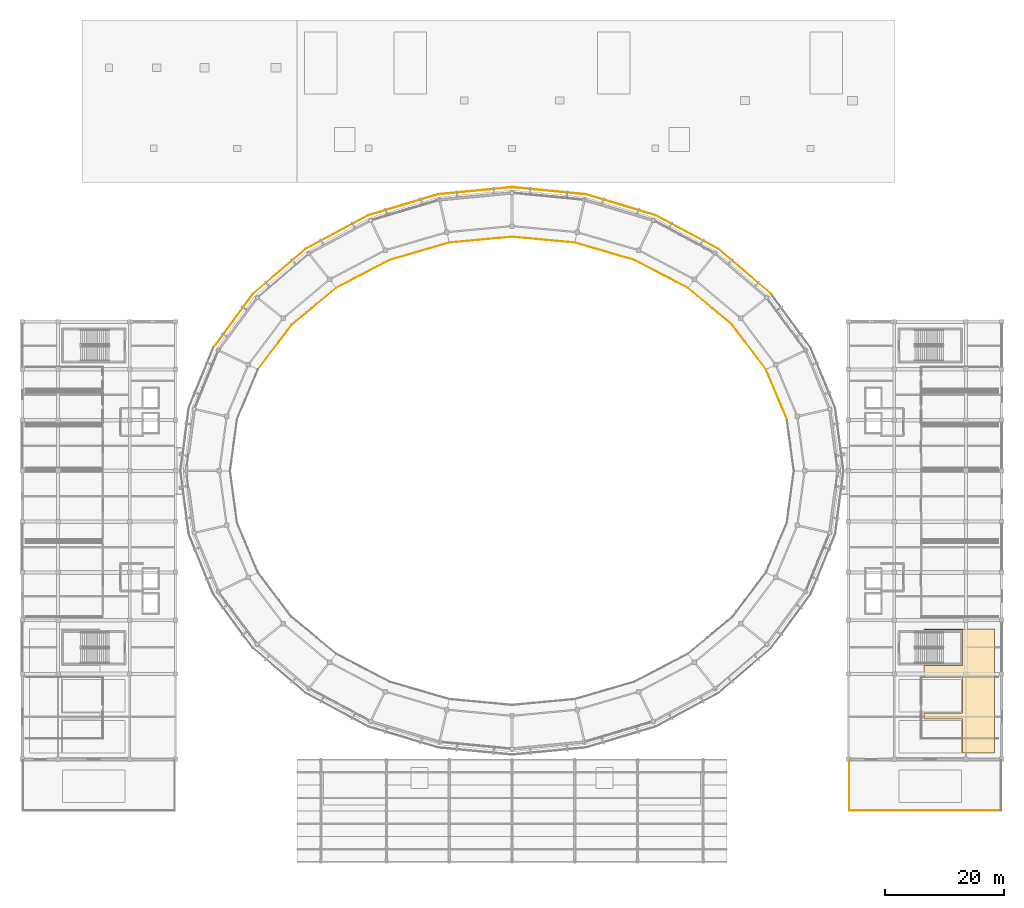
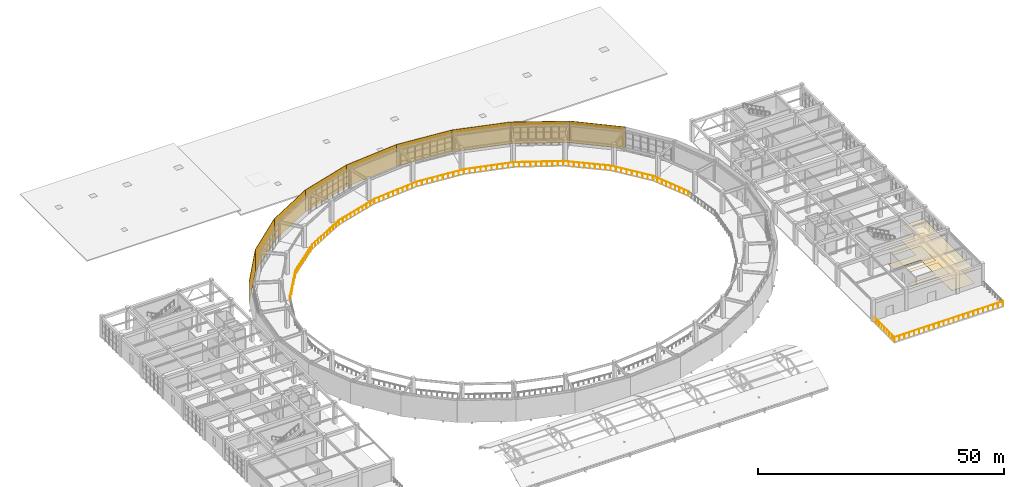
# One storey, part 66 of 70: 13 railings, 11 coverings.
"""IFC4 building model written with IfcOpenShell, lengths in metres."""

import ifcopenshell
import ifcopenshell.guid

model = None  # the IFC model being written
_history = None  # IfcOwnerHistory: only IFC2X3 demands one
_inside = {}  # id of a spatial element -> (the spatial element, [elements in it])
_under = {}  # id of a project, library or spatial element -> (it, [spatial elements below it])
_declared = {}  # id of a project -> (the project, [libraries it declares])
_typed = {}  # id of a type object -> (the type object, [elements of that type])
_made_of = {}  # id of a material, layer set ... -> (it, [elements and type objects made of it])


def new_model(schema):
    """Start an empty IFC model of exactly this schema.

    Asked for "IFC4X3", IfcOpenShell would pick the latest addendum, in which some entities
    have other attributes; the version numbers below select the first issue.
    IFC2X3 requires an IfcOwnerHistory on every rooted entity: one is made here for all.
    """
    global model, _history
    if schema == "IFC4X3":
        model = ifcopenshell.file(schema_version=(4, 3, 0, 0))
    else:
        model = ifcopenshell.file(schema=schema)
    _inside.clear()
    _under.clear()
    _declared.clear()
    _typed.clear()
    _made_of.clear()
    _history = None
    if model.schema == "IFC2X3":
        org = make("IfcOrganization", Name="unknown")
        user = make(
            "IfcPersonAndOrganization",
            ThePerson=make("IfcPerson", FamilyName="unknown"),
            TheOrganization=org,
        )
        app = make(
            "IfcApplication",
            ApplicationDeveloper=org,
            Version="unknown",
            ApplicationFullName="unknown",
            ApplicationIdentifier="unknown",
        )
        _history = make(
            "IfcOwnerHistory",
            OwningUser=user,
            OwningApplication=app,
            ChangeAction="ADDED",
            CreationDate=0,
        )
    return model


def make(cls, **values):
    """One entity of the class cls with the attributes given. An attribute that is None is left unset."""
    return model.create_entity(
        cls, **{name: value for name, value in values.items() if value is not None}
    )


def rooted(cls, **values):
    """An entity with a GlobalId (a new one), such as an element, a storey or a relation."""
    return make(cls, GlobalId=ifcopenshell.guid.new(), OwnerHistory=_history, **values)


def si_unit(unit_type, name, prefix=None):
    """IfcSIUnit, for example si_unit("LENGTHUNIT", "METRE", prefix="MILLI")."""
    return make("IfcSIUnit", UnitType=unit_type, Prefix=prefix, Name=name)


def assignment(units):
    """IfcUnitAssignment: the units of a project."""
    return None if units is None else make("IfcUnitAssignment", Units=units)


def point(xyz):
    """IfcCartesianPoint."""
    return None if xyz is None else make("IfcCartesianPoint", Coordinates=xyz)


def direction(xyz):
    """IfcDirection."""
    return None if xyz is None else make("IfcDirection", DirectionRatios=xyz)


def frame(location, z_axis=None, x_axis=None):
    """IfcAxis2Placement3D, a coordinate frame: its origin and axes. An axis left out is left unset."""
    return make(
        "IfcAxis2Placement3D",
        Location=point(location),
        Axis=direction(z_axis),
        RefDirection=direction(x_axis),
    )


def frame_2d(location, x_axis=None):
    """IfcAxis2Placement2D, a coordinate frame in the plane: its origin and x axis."""
    return make(
        "IfcAxis2Placement2D", Location=point(location), RefDirection=direction(x_axis)
    )


def origin():
    """The frame at (0, 0, 0) with its axes left unset."""
    return frame((0.0, 0.0, 0.0))


def origin_2d():
    """The frame at (0, 0) in the plane with its x axis left unset."""
    return frame_2d((0.0, 0.0))


def place(relative_to, where):
    """IfcLocalPlacement: puts the frame where relative to a parent placement (None: the world)."""
    return make(
        "IfcLocalPlacement", PlacementRelTo=relative_to, RelativePlacement=where
    )


def context(
    kind, dimensions, precision=None, world=None, true_north=None, identifier=None
):
    """IfcGeometricRepresentationContext, for example the 3D "Model" context."""
    return make(
        "IfcGeometricRepresentationContext",
        ContextIdentifier=identifier,
        ContextType=kind,
        CoordinateSpaceDimension=dimensions,
        Precision=precision,
        WorldCoordinateSystem=world,
        TrueNorth=true_north,
    )


def subcontext(parent, identifier, kind, view, scale=None):
    """IfcGeometricRepresentationSubContext, for example "Body" below "Model"."""
    return make(
        "IfcGeometricRepresentationSubContext",
        ContextIdentifier=identifier,
        ContextType=kind,
        ParentContext=parent,
        TargetScale=scale,
        TargetView=view,
    )


def project(units=None, contexts=None):
    """IfcProject with its units and contexts."""
    return rooted(
        "IfcProject",
        Name="project",
        RepresentationContexts=contexts,
        UnitsInContext=assignment(units),
    )


def spatial(cls, under=None, at=None, **own):
    """A site, building, storey or space (cls), placed at a placement, below another one or the project."""
    s = rooted(cls, ObjectPlacement=at, **own)
    if under is not None:
        _under.setdefault(under.id(), (under, []))[1].append(s)
    return s


def polyline(points):
    """IfcPolyline through the points."""
    return make("IfcPolyline", Points=[point(p) for p in points])


def profile(cls, at=None, kind="AREA", **sizes):
    """A parametric profile (cls). Its sizes go by their IFC names, for example OverallWidth=200.0."""
    return make(cls, ProfileType=kind, Position=at, **sizes)


def rectangle(**sizes):
    """IfcRectangleProfileDef."""
    return profile("IfcRectangleProfileDef", **sizes)


def circle(**sizes):
    """IfcCircleProfileDef."""
    return profile("IfcCircleProfileDef", **sizes)


def outline(outer, holes=None, kind="AREA"):
    """IfcArbitraryClosedProfileDef: a profile drawn as a closed curve; with holes, ...WithVoids."""
    if holes is None:
        return make("IfcArbitraryClosedProfileDef", ProfileType=kind, OuterCurve=outer)
    return make(
        "IfcArbitraryProfileDefWithVoids",
        ProfileType=kind,
        OuterCurve=outer,
        InnerCurves=holes,
    )


def extrude(swept, where, along, depth):
    """IfcExtrudedAreaSolid: the profile swept, set in the frame where, extruded along a direction by depth."""
    return make(
        "IfcExtrudedAreaSolid",
        SweptArea=swept,
        Position=where,
        ExtrudedDirection=direction(along),
        Depth=depth,
    )


def shape(context_of_items, identifier, shape_type, items):
    """IfcShapeRepresentation: the items that make up one representation, for example the "Body"."""
    return make(
        "IfcShapeRepresentation",
        ContextOfItems=context_of_items,
        RepresentationIdentifier=identifier,
        RepresentationType=shape_type,
        Items=items,
    )


def material(Name=None, Category=None):
    """IfcMaterial."""
    return make("IfcMaterial", Name=Name, Category=Category)


def layer(
    of_material, thickness, ventilated=None, Name=None, Category=None, Priority=None
):
    """IfcMaterialLayer: one layer of a wall or slab, of a material (None: an air gap)."""
    return make(
        "IfcMaterialLayer",
        Material=of_material,
        LayerThickness=thickness,
        IsVentilated=ventilated,
        Name=Name,
        Category=Category,
        Priority=Priority,
    )


def layer_set(layers, Name=None):
    """IfcMaterialLayerSet."""
    return make("IfcMaterialLayerSet", MaterialLayers=layers, LayerSetName=Name)


def made_of(thing, what):
    """Note that an element or type object is made of a material, layer set ...; save() writes the relation."""
    if what is not None:
        _made_of.setdefault(what.id(), (what, []))[1].append(thing)
    return thing


def type_object(cls, material=None, **own):
    """A type object (cls), such as IfcWallType, which elements share."""
    return made_of(rooted(cls, **own), material)


def element(
    cls,
    number,
    at=None,
    inside=None,
    cuts=None,
    type_object=None,
    material=None,
    context=None,
    identifier="Body",
    shape_type=None,
    held_by="IfcProductDefinitionShape",
    body=None,
    shapes=None,
    **own,
):
    """One element of the class cls, such as IfcWall. Its Tag is "e" and its number.

    at: its placement. inside: the storey or other place that contains it. cuts: it is an
    opening in that element (IfcRelVoidsElement). A single representation is given by context,
    identifier, shape_type and body (its items); several are given by shapes. held_by: the class
    of the entity that holds the representations. save() writes the other relations.
    """
    e = rooted(cls, Tag="e%d" % number, ObjectPlacement=at, **own)
    if body is not None:
        shapes = [shape(context, identifier, shape_type, body)]
    if shapes is not None:
        e.Representation = make(held_by, Representations=shapes)
    if inside is not None:
        _inside.setdefault(inside.id(), (inside, []))[1].append(e)
    if cuts is not None:
        rooted(
            "IfcRelVoidsElement", RelatingBuildingElement=cuts, RelatedOpeningElement=e
        )
    if type_object is not None:
        _typed.setdefault(type_object.id(), (type_object, []))[1].append(e)
    return made_of(e, material)


def aggregate(whole, parts):
    """IfcRelAggregates: a whole, such as a stair, and the parts it consists of."""
    return rooted("IfcRelAggregates", RelatingObject=whole, RelatedObjects=parts)


def save(model, path):
    """Write the relations noted so far, then the file.

    IfcRelAggregates (storeys below a building ...), IfcRelContainedInSpatialStructure (elements
    in a storey), IfcRelDefinesByType, IfcRelAssociatesMaterial and IfcRelDeclares: one each for
    every whole, place, type object, material and project.
    """
    for whole, parts in _under.values():
        aggregate(whole, parts)
    for where, things in _inside.values():
        rooted(
            "IfcRelContainedInSpatialStructure",
            RelatedElements=things,
            RelatingStructure=where,
        )
    for kind, things in _typed.values():
        rooted("IfcRelDefinesByType", RelatedObjects=things, RelatingType=kind)
    for what, things in _made_of.values():
        rooted("IfcRelAssociatesMaterial", RelatedObjects=things, RelatingMaterial=what)
    for by, libraries in _declared.values():
        rooted("IfcRelDeclares", RelatingContext=by, RelatedDefinitions=libraries)
    model.write(path)


model = new_model("IFC4")

# Units and contexts
model_context = context("Model", 3, precision=1e-05, world=origin(), true_north=direction((0.0, 1.0)))
body_context = subcontext(model_context, "Body", "Model", "MODEL_VIEW")
ifc_project = project(units=[si_unit("LENGTHUNIT", "METRE"), si_unit("AREAUNIT", "SQUARE_METRE"), si_unit("VOLUMEUNIT", "CUBIC_METRE"), si_unit("PLANEANGLEUNIT", "RADIAN"), si_unit("MASSUNIT", "GRAM", prefix="KILO")], contexts=[model_context])

# Site, building, storey
site_placement = place(None, origin())
site = spatial("IfcSite", under=ifc_project, at=site_placement, CompositionType="ELEMENT")
building_placement = place(site_placement, origin())
building = spatial("IfcBuilding", under=site, at=building_placement, Name="Cuetzalor Civic Arena", CompositionType="ELEMENT")
storey_placement = place(building_placement, frame((0.0, 0.0, 21.0)))
storey = spatial("IfcBuildingStorey", under=building, at=storey_placement, Name="L04", CompositionType="ELEMENT", Elevation=21.0)

# Covering
ifc_material_1 = material(Name="Perforated acoustic mineral ceiling board", Category="gypsum")
ifc_layer_1 = layer(ifc_material_1, 0.02490234375)
ifc_layer_set_1 = layer_set([ifc_layer_1], Name="Perforated acoustic mineral ceiling board")
covering_type_1 = type_object("IfcCoveringType", Name="AcousticMineralCeiling_25", PredefinedType="CEILING", material=ifc_layer_set_1)
covering_1_placement = place(storey_placement, frame((0.0, 0.0, 3.5)))
element("IfcCovering", 1, at=covering_1_placement, inside=storey, type_object=covering_type_1, Name="Sky Club East Acoustic Ceiling", PredefinedType="CEILING", context=body_context, shape_type="SweptSolid", body=[
    extrude(outline(polyline([(69.0, -26.5), (80.800048828125, -26.5), (80.800048828125, -47.199951171875), (75.449951171875, -47.199951171875), (75.449951171875, -41.550048828125), (69.0, -41.550048828125), (69.0, -40.550048828125), (75.449951171875, -40.550048828125), (75.449951171875, -34.64990234375), (69.0, -34.64990234375), (69.0, -32.550048828125), (75.449951171875, -32.550048828125), (75.449951171875, -26.64990234375), (69.0, -26.64990234375), (69.0, -26.5)])), origin(), (0.0, 0.0, 1.0), 0.02490234375),
])

# Railings
ifc_material_2 = material(Name="Reseda-green Steel S355 and laminated glass guard", Category="steel")
railing_type_1 = type_object("IfcRailingType", Name="BowlSightlineGuard_1100", PredefinedType="BALUSTRADE", material=ifc_material_2)
railing_1_placement = place(storey_placement, frame((46.0166015625, 8.722900390625, 0.0)))
element("IfcRailing", 2, at=railing_1_placement, inside=storey, type_object=railing_type_1, Name="Sky Gallery Bowl Rim Balustrade S02", PredefinedType="BALUSTRADE", context=body_context, shape_type="SweptSolid", body=[
    extrude(circle(Radius=0.02392578125, at=origin_2d()), frame((0.0, 0.0, 1.076171875), z_axis=(-0.388281571864, 0.921540786374, 0.0), x_axis=(-0.921540786374, -0.388281571864, 0.0)), (0.0, 0.0, 1.0), 8.99072265625),
    extrude(circle(Radius=0.02099609375, at=origin_2d()), origin(), (0.0, 0.0, 1.0), 1.052001953125),
    extrude(circle(Radius=0.02099609375, at=origin_2d()), frame((-0.436279296875, 1.03564453125, 0.0)), (0.0, 0.0, 1.0), 1.052001953125),
    extrude(circle(Radius=0.02099609375, at=origin_2d()), frame((-0.872802734375, 2.0712890625, 0.0)), (0.0, 0.0, 1.0), 1.052001953125),
    extrude(circle(Radius=0.02099609375, at=origin_2d()), frame((-1.30908203125, 3.10693359375, 0.0)), (0.0, 0.0, 1.0), 1.052001953125),
    extrude(circle(Radius=0.02099609375, at=origin_2d()), frame((-1.74560546875, 4.142578125, 0.0)), (0.0, 0.0, 1.0), 1.052001953125),
    extrude(circle(Radius=0.02099609375, at=origin_2d()), frame((-2.181884765625, 5.178466796875, 0.0)), (0.0, 0.0, 1.0), 1.052001953125),
    extrude(circle(Radius=0.02099609375, at=origin_2d()), frame((-2.6181640625, 6.214111328125, 0.0)), (0.0, 0.0, 1.0), 1.052001953125),
    extrude(circle(Radius=0.02099609375, at=origin_2d()), frame((-3.0546875, 7.249755859375, 0.0)), (0.0, 0.0, 1.0), 1.052001953125),
    extrude(circle(Radius=0.02099609375, at=origin_2d()), frame((-3.490966796875, 8.285400390625, 0.0)), (0.0, 0.0, 1.0), 1.052001953125),
])
railing_2_placement = place(storey_placement, frame((42.525634765625, 17.00830078125, 0.0)))
element("IfcRailing", 3, at=railing_2_placement, inside=storey, type_object=railing_type_1, Name="Sky Gallery Bowl Rim Balustrade S03", PredefinedType="BALUSTRADE", context=body_context, shape_type="SweptSolid", body=[
    extrude(circle(Radius=0.02392578125, at=origin_2d()), frame((0.0, 0.0, 1.076171875), z_axis=(-0.60334768041, 0.79747826086, 0.0), x_axis=(-0.79747826086, -0.60334768041, 0.0)), (0.0, 0.0, 1.0), 9.320068359375),
    extrude(circle(Radius=0.02099609375, at=origin_2d()), origin(), (0.0, 0.0, 1.0), 1.052001953125),
    extrude(circle(Radius=0.02099609375, at=origin_2d()), frame((-0.702880859375, 0.92919921875, 0.0)), (0.0, 0.0, 1.0), 1.052001953125),
    extrude(circle(Radius=0.02099609375, at=origin_2d()), frame((-1.40576171875, 1.858154296875, 0.0)), (0.0, 0.0, 1.0), 1.052001953125),
    extrude(circle(Radius=0.02099609375, at=origin_2d()), frame((-2.108642578125, 2.787109375, 0.0)), (0.0, 0.0, 1.0), 1.052001953125),
    extrude(circle(Radius=0.02099609375, at=origin_2d()), frame((-2.8115234375, 3.71630859375, 0.0)), (0.0, 0.0, 1.0), 1.052001953125),
    extrude(circle(Radius=0.02099609375, at=origin_2d()), frame((-3.5146484375, 4.6455078125, 0.0)), (0.0, 0.0, 1.0), 1.052001953125),
    extrude(circle(Radius=0.02099609375, at=origin_2d()), frame((-4.217529296875, 5.574462890625, 0.0)), (0.0, 0.0, 1.0), 1.052001953125),
    extrude(circle(Radius=0.02099609375, at=origin_2d()), frame((-4.92041015625, 6.50341796875, 0.0)), (0.0, 0.0, 1.0), 1.052001953125),
    extrude(circle(Radius=0.02099609375, at=origin_2d()), frame((-5.623291015625, 7.4326171875, 0.0)), (0.0, 0.0, 1.0), 1.052001953125),
])
railing_3_placement = place(storey_placement, frame((36.90234375, 24.44091796875, 0.0)))
element("IfcRailing", 4, at=railing_3_placement, inside=storey, type_object=railing_type_1, Name="Sky Gallery Bowl Rim Balustrade S04", PredefinedType="BALUSTRADE", context=body_context, shape_type="SweptSolid", body=[
    extrude(circle(Radius=0.02392578125, at=origin_2d()), frame((0.0, 0.0, 1.076171875), z_axis=(-0.769295452633, 0.638893188693, 0.0), x_axis=(-0.638893188693, -0.769295452633, 0.0)), (0.0, 0.0, 1.0), 9.71484375),
    extrude(circle(Radius=0.02099609375, at=origin_2d()), origin(), (0.0, 0.0, 1.0), 1.052001953125),
    extrude(circle(Radius=0.02099609375, at=origin_2d()), frame((-0.830322265625, 0.689697265625, 0.0)), (0.0, 0.0, 1.0), 1.052001953125),
    extrude(circle(Radius=0.02099609375, at=origin_2d()), frame((-1.660888671875, 1.37939453125, 0.0)), (0.0, 0.0, 1.0), 1.052001953125),
    extrude(circle(Radius=0.02099609375, at=origin_2d()), frame((-2.4912109375, 2.06884765625, 0.0)), (0.0, 0.0, 1.0), 1.052001953125),
    extrude(circle(Radius=0.02099609375, at=origin_2d()), frame((-3.321533203125, 2.758544921875, 0.0)), (0.0, 0.0, 1.0), 1.052001953125),
    extrude(circle(Radius=0.02099609375, at=origin_2d()), frame((-4.152099609375, 3.4482421875, 0.0)), (0.0, 0.0, 1.0), 1.052001953125),
    extrude(circle(Radius=0.02099609375, at=origin_2d()), frame((-4.982421875, 4.137939453125, 0.0)), (0.0, 0.0, 1.0), 1.052001953125),
    extrude(circle(Radius=0.02099609375, at=origin_2d()), frame((-5.812744140625, 4.827392578125, 0.0)), (0.0, 0.0, 1.0), 1.052001953125),
    extrude(circle(Radius=0.02099609375, at=origin_2d()), frame((-6.643310546875, 5.51708984375, 0.0)), (0.0, 0.0, 1.0), 1.052001953125),
    extrude(circle(Radius=0.02099609375, at=origin_2d()), frame((-7.4736328125, 6.206787109375, 0.0)), (0.0, 0.0, 1.0), 1.052001953125),
])
railing_4_placement = place(storey_placement, frame((29.4287109375, 30.647705078125, 0.0)))
element("IfcRailing", 5, at=railing_4_placement, inside=storey, type_object=railing_type_1, Name="Sky Gallery Bowl Rim Balustrade S05", PredefinedType="BALUSTRADE", context=body_context, shape_type="SweptSolid", body=[
    extrude(circle(Radius=0.02392578125, at=origin_2d()), frame((0.0, 0.0, 1.076171875), z_axis=(-0.886539131645, 0.462653615636, 0.0), x_axis=(-0.462653615636, -0.886539131645, 0.0)), (0.0, 0.0, 1.0), 10.0947265625),
    extrude(circle(Radius=0.02099609375, at=origin_2d()), origin(), (0.0, 0.0, 1.0), 1.052001953125),
    extrude(circle(Radius=0.02099609375, at=origin_2d()), frame((-0.994384765625, 0.51904296875, 0.0)), (0.0, 0.0, 1.0), 1.052001953125),
    extrude(circle(Radius=0.02099609375, at=origin_2d()), frame((-1.98876953125, 1.037841796875, 0.0)), (0.0, 0.0, 1.0), 1.052001953125),
    extrude(circle(Radius=0.02099609375, at=origin_2d()), frame((-2.983154296875, 1.556884765625, 0.0)), (0.0, 0.0, 1.0), 1.052001953125),
    extrude(circle(Radius=0.02099609375, at=origin_2d()), frame((-3.9775390625, 2.07568359375, 0.0)), (0.0, 0.0, 1.0), 1.052001953125),
    extrude(circle(Radius=0.02099609375, at=origin_2d()), frame((-4.971923828125, 2.5947265625, 0.0)), (0.0, 0.0, 1.0), 1.052001953125),
    extrude(circle(Radius=0.02099609375, at=origin_2d()), frame((-5.96630859375, 3.113525390625, 0.0)), (0.0, 0.0, 1.0), 1.052001953125),
    extrude(circle(Radius=0.02099609375, at=origin_2d()), frame((-6.960693359375, 3.632568359375, 0.0)), (0.0, 0.0, 1.0), 1.052001953125),
    extrude(circle(Radius=0.02099609375, at=origin_2d()), frame((-7.955078125, 4.1513671875, 0.0)), (0.0, 0.0, 1.0), 1.052001953125),
    extrude(circle(Radius=0.02099609375, at=origin_2d()), frame((-8.949462890625, 4.67041015625, 0.0)), (0.0, 0.0, 1.0), 1.052001953125),
])
railing_5_placement = place(storey_placement, frame((20.479248046875, 35.318115234375, 0.0)))
element("IfcRailing", 6, at=railing_5_placement, inside=storey, type_object=railing_type_1, Name="Sky Gallery Bowl Rim Balustrade S06", PredefinedType="BALUSTRADE", context=body_context, shape_type="SweptSolid", body=[
    extrude(circle(Radius=0.02392578125, at=origin_2d()), frame((0.0, 0.0, 1.076171875), z_axis=(-0.960273529598, 0.279060474365, 0.0), x_axis=(-0.279060474365, -0.960273529598, 0.0)), (0.0, 0.0, 1.0), 10.38916015625),
    extrude(circle(Radius=0.02099609375, at=origin_2d()), origin(), (0.0, 0.0, 1.0), 1.052001953125),
    extrude(circle(Radius=0.02099609375, at=origin_2d()), frame((-1.1083984375, 0.322021484375, 0.0)), (0.0, 0.0, 1.0), 1.052001953125),
    extrude(circle(Radius=0.02099609375, at=origin_2d()), frame((-2.217041015625, 0.644287109375, 0.0)), (0.0, 0.0, 1.0), 1.052001953125),
    extrude(circle(Radius=0.02099609375, at=origin_2d()), frame((-3.325439453125, 0.96630859375, 0.0)), (0.0, 0.0, 1.0), 1.052001953125),
    extrude(circle(Radius=0.02099609375, at=origin_2d()), frame((-4.433837890625, 1.28857421875, 0.0)), (0.0, 0.0, 1.0), 1.052001953125),
    extrude(circle(Radius=0.02099609375, at=origin_2d()), frame((-5.54248046875, 1.610595703125, 0.0)), (0.0, 0.0, 1.0), 1.052001953125),
    extrude(circle(Radius=0.02099609375, at=origin_2d()), frame((-6.65087890625, 1.932861328125, 0.0)), (0.0, 0.0, 1.0), 1.052001953125),
    extrude(circle(Radius=0.02099609375, at=origin_2d()), frame((-7.75927734375, 2.2548828125, 0.0)), (0.0, 0.0, 1.0), 1.052001953125),
    extrude(circle(Radius=0.02099609375, at=origin_2d()), frame((-8.867919921875, 2.5771484375, 0.0)), (0.0, 0.0, 1.0), 1.052001953125),
    extrude(circle(Radius=0.02099609375, at=origin_2d()), frame((-9.976318359375, 2.899169921875, 0.0)), (0.0, 0.0, 1.0), 1.052001953125),
])
railing_6_placement = place(storey_placement, frame((10.5029296875, 38.21728515625, 0.0)))
element("IfcRailing", 7, at=railing_6_placement, inside=storey, type_object=railing_type_1, Name="Sky Gallery Bowl Rim Balustrade S07", PredefinedType="BALUSTRADE", context=body_context, shape_type="SweptSolid", body=[
    extrude(circle(Radius=0.02392578125, at=origin_2d()), frame((0.0, 0.0, 1.076171875), z_axis=(-0.995651684178, 0.093154300995, 0.0), x_axis=(-0.093154300995, -0.995651684178, 0.0)), (0.0, 0.0, 1.0), 10.548828125),
    extrude(circle(Radius=0.02099609375, at=origin_2d()), origin(), (0.0, 0.0, 1.0), 1.052001953125),
    extrude(circle(Radius=0.02099609375, at=origin_2d()), frame((-1.1669921875, 0.109130859375, 0.0)), (0.0, 0.0, 1.0), 1.052001953125),
    extrude(circle(Radius=0.02099609375, at=origin_2d()), frame((-2.333984375, 0.21826171875, 0.0)), (0.0, 0.0, 1.0), 1.052001953125),
    extrude(circle(Radius=0.02099609375, at=origin_2d()), frame((-3.5009765625, 0.32763671875, 0.0)), (0.0, 0.0, 1.0), 1.052001953125),
    extrude(circle(Radius=0.02099609375, at=origin_2d()), frame((-4.66796875, 0.436767578125, 0.0)), (0.0, 0.0, 1.0), 1.052001953125),
    extrude(circle(Radius=0.02099609375, at=origin_2d()), frame((-5.8349609375, 0.5458984375, 0.0)), (0.0, 0.0, 1.0), 1.052001953125),
    extrude(circle(Radius=0.02099609375, at=origin_2d()), frame((-7.001953125, 0.655029296875, 0.0)), (0.0, 0.0, 1.0), 1.052001953125),
    extrude(circle(Radius=0.02099609375, at=origin_2d()), frame((-8.1689453125, 0.764404296875, 0.0)), (0.0, 0.0, 1.0), 1.052001953125),
    extrude(circle(Radius=0.02099609375, at=origin_2d()), frame((-9.3359375, 0.87353515625, 0.0)), (0.0, 0.0, 1.0), 1.052001953125),
    extrude(circle(Radius=0.02099609375, at=origin_2d()), frame((-10.5029296875, 0.982666015625, 0.0)), (0.0, 0.0, 1.0), 1.052001953125),
])
railing_7_placement = place(storey_placement, frame((0.0, 39.199951171875, 0.0)))
element("IfcRailing", 8, at=railing_7_placement, inside=storey, type_object=railing_type_1, Name="Sky Gallery Bowl Rim Balustrade S08", PredefinedType="BALUSTRADE", context=body_context, shape_type="SweptSolid", body=[
    extrude(circle(Radius=0.02392578125, at=origin_2d()), frame((0.0, 0.0, 1.076171875), z_axis=(-0.995651684178, -0.093154300995, 0.0), x_axis=(0.093154300995, -0.995651684178, 0.0)), (0.0, 0.0, 1.0), 10.548828125),
    extrude(circle(Radius=0.02099609375, at=origin_2d()), origin(), (0.0, 0.0, 1.0), 1.052001953125),
    extrude(circle(Radius=0.02099609375, at=origin_2d()), frame((-1.1669921875, -0.109130859375, 0.0)), (0.0, 0.0, 1.0), 1.052001953125),
    extrude(circle(Radius=0.02099609375, at=origin_2d()), frame((-2.333984375, -0.21826171875, 0.0)), (0.0, 0.0, 1.0), 1.052001953125),
    extrude(circle(Radius=0.02099609375, at=origin_2d()), frame((-3.5009765625, -0.32763671875, 0.0)), (0.0, 0.0, 1.0), 1.052001953125),
    extrude(circle(Radius=0.02099609375, at=origin_2d()), frame((-4.66796875, -0.436767578125, 0.0)), (0.0, 0.0, 1.0), 1.052001953125),
    extrude(circle(Radius=0.02099609375, at=origin_2d()), frame((-5.8349609375, -0.5458984375, 0.0)), (0.0, 0.0, 1.0), 1.052001953125),
    extrude(circle(Radius=0.02099609375, at=origin_2d()), frame((-7.001953125, -0.655029296875, 0.0)), (0.0, 0.0, 1.0), 1.052001953125),
    extrude(circle(Radius=0.02099609375, at=origin_2d()), frame((-8.1689453125, -0.764404296875, 0.0)), (0.0, 0.0, 1.0), 1.052001953125),
    extrude(circle(Radius=0.02099609375, at=origin_2d()), frame((-9.3359375, -0.87353515625, 0.0)), (0.0, 0.0, 1.0), 1.052001953125),
    extrude(circle(Radius=0.02099609375, at=origin_2d()), frame((-10.5029296875, -0.982666015625, 0.0)), (0.0, 0.0, 1.0), 1.052001953125),
])
railing_8_placement = place(storey_placement, frame((-10.5029296875, 38.21728515625, 0.0)))
element("IfcRailing", 9, at=railing_8_placement, inside=storey, type_object=railing_type_1, Name="Sky Gallery Bowl Rim Balustrade S09", PredefinedType="BALUSTRADE", context=body_context, shape_type="SweptSolid", body=[
    extrude(circle(Radius=0.02392578125, at=origin_2d()), frame((0.0, 0.0, 1.076171875), z_axis=(-0.960273529598, -0.279060474365, 0.0), x_axis=(0.279060474365, -0.960273529598, 0.0)), (0.0, 0.0, 1.0), 10.38916015625),
    extrude(circle(Radius=0.02099609375, at=origin_2d()), origin(), (0.0, 0.0, 1.0), 1.052001953125),
    extrude(circle(Radius=0.02099609375, at=origin_2d()), frame((-1.1083984375, -0.322021484375, 0.0)), (0.0, 0.0, 1.0), 1.052001953125),
    extrude(circle(Radius=0.02099609375, at=origin_2d()), frame((-2.217041015625, -0.644287109375, 0.0)), (0.0, 0.0, 1.0), 1.052001953125),
    extrude(circle(Radius=0.02099609375, at=origin_2d()), frame((-3.325439453125, -0.96630859375, 0.0)), (0.0, 0.0, 1.0), 1.052001953125),
    extrude(circle(Radius=0.02099609375, at=origin_2d()), frame((-4.433837890625, -1.28857421875, 0.0)), (0.0, 0.0, 1.0), 1.052001953125),
    extrude(circle(Radius=0.02099609375, at=origin_2d()), frame((-5.54248046875, -1.610595703125, 0.0)), (0.0, 0.0, 1.0), 1.052001953125),
    extrude(circle(Radius=0.02099609375, at=origin_2d()), frame((-6.65087890625, -1.932861328125, 0.0)), (0.0, 0.0, 1.0), 1.052001953125),
    extrude(circle(Radius=0.02099609375, at=origin_2d()), frame((-7.75927734375, -2.2548828125, 0.0)), (0.0, 0.0, 1.0), 1.052001953125),
    extrude(circle(Radius=0.02099609375, at=origin_2d()), frame((-8.867919921875, -2.5771484375, 0.0)), (0.0, 0.0, 1.0), 1.052001953125),
    extrude(circle(Radius=0.02099609375, at=origin_2d()), frame((-9.976318359375, -2.899169921875, 0.0)), (0.0, 0.0, 1.0), 1.052001953125),
])
railing_9_placement = place(storey_placement, frame((-20.479248046875, 35.318115234375, 0.0)))
element("IfcRailing", 10, at=railing_9_placement, inside=storey, type_object=railing_type_1, Name="Sky Gallery Bowl Rim Balustrade S10", PredefinedType="BALUSTRADE", context=body_context, shape_type="SweptSolid", body=[
    extrude(circle(Radius=0.02392578125, at=origin_2d()), frame((0.0, 0.0, 1.076171875), z_axis=(-0.886539131645, -0.462653615636, 0.0), x_axis=(0.462653615636, -0.886539131645, 0.0)), (0.0, 0.0, 1.0), 10.0947265625),
    extrude(circle(Radius=0.02099609375, at=origin_2d()), origin(), (0.0, 0.0, 1.0), 1.052001953125),
    extrude(circle(Radius=0.02099609375, at=origin_2d()), frame((-0.994384765625, -0.51904296875, 0.0)), (0.0, 0.0, 1.0), 1.052001953125),
    extrude(circle(Radius=0.02099609375, at=origin_2d()), frame((-1.98876953125, -1.037841796875, 0.0)), (0.0, 0.0, 1.0), 1.052001953125),
    extrude(circle(Radius=0.02099609375, at=origin_2d()), frame((-2.983154296875, -1.556884765625, 0.0)), (0.0, 0.0, 1.0), 1.052001953125),
    extrude(circle(Radius=0.02099609375, at=origin_2d()), frame((-3.9775390625, -2.07568359375, 0.0)), (0.0, 0.0, 1.0), 1.052001953125),
    extrude(circle(Radius=0.02099609375, at=origin_2d()), frame((-4.971923828125, -2.5947265625, 0.0)), (0.0, 0.0, 1.0), 1.052001953125),
    extrude(circle(Radius=0.02099609375, at=origin_2d()), frame((-5.96630859375, -3.113525390625, 0.0)), (0.0, 0.0, 1.0), 1.052001953125),
    extrude(circle(Radius=0.02099609375, at=origin_2d()), frame((-6.960693359375, -3.632568359375, 0.0)), (0.0, 0.0, 1.0), 1.052001953125),
    extrude(circle(Radius=0.02099609375, at=origin_2d()), frame((-7.955078125, -4.1513671875, 0.0)), (0.0, 0.0, 1.0), 1.052001953125),
    extrude(circle(Radius=0.02099609375, at=origin_2d()), frame((-8.949462890625, -4.67041015625, 0.0)), (0.0, 0.0, 1.0), 1.052001953125),
])
railing_10_placement = place(storey_placement, frame((-29.4287109375, 30.647705078125, 0.0)))
element("IfcRailing", 11, at=railing_10_placement, inside=storey, type_object=railing_type_1, Name="Sky Gallery Bowl Rim Balustrade S11", PredefinedType="BALUSTRADE", context=body_context, shape_type="SweptSolid", body=[
    extrude(circle(Radius=0.02392578125, at=origin_2d()), frame((0.0, 0.0, 1.076171875), z_axis=(-0.769295452633, -0.638893188693, 0.0), x_axis=(0.638893188693, -0.769295452633, 0.0)), (0.0, 0.0, 1.0), 9.71484375),
    extrude(circle(Radius=0.02099609375, at=origin_2d()), origin(), (0.0, 0.0, 1.0), 1.052001953125),
    extrude(circle(Radius=0.02099609375, at=origin_2d()), frame((-0.830322265625, -0.689697265625, 0.0)), (0.0, 0.0, 1.0), 1.052001953125),
    extrude(circle(Radius=0.02099609375, at=origin_2d()), frame((-1.660888671875, -1.37939453125, 0.0)), (0.0, 0.0, 1.0), 1.052001953125),
    extrude(circle(Radius=0.02099609375, at=origin_2d()), frame((-2.4912109375, -2.06884765625, 0.0)), (0.0, 0.0, 1.0), 1.052001953125),
    extrude(circle(Radius=0.02099609375, at=origin_2d()), frame((-3.321533203125, -2.758544921875, 0.0)), (0.0, 0.0, 1.0), 1.052001953125),
    extrude(circle(Radius=0.02099609375, at=origin_2d()), frame((-4.152099609375, -3.4482421875, 0.0)), (0.0, 0.0, 1.0), 1.052001953125),
    extrude(circle(Radius=0.02099609375, at=origin_2d()), frame((-4.982421875, -4.137939453125, 0.0)), (0.0, 0.0, 1.0), 1.052001953125),
    extrude(circle(Radius=0.02099609375, at=origin_2d()), frame((-5.812744140625, -4.827392578125, 0.0)), (0.0, 0.0, 1.0), 1.052001953125),
    extrude(circle(Radius=0.02099609375, at=origin_2d()), frame((-6.643310546875, -5.51708984375, 0.0)), (0.0, 0.0, 1.0), 1.052001953125),
    extrude(circle(Radius=0.02099609375, at=origin_2d()), frame((-7.4736328125, -6.206787109375, 0.0)), (0.0, 0.0, 1.0), 1.052001953125),
])
railing_11_placement = place(storey_placement, frame((-36.90234375, 24.44091796875, 0.0)))
element("IfcRailing", 12, at=railing_11_placement, inside=storey, type_object=railing_type_1, Name="Sky Gallery Bowl Rim Balustrade S12", PredefinedType="BALUSTRADE", context=body_context, shape_type="SweptSolid", body=[
    extrude(circle(Radius=0.02392578125, at=origin_2d()), frame((0.0, 0.0, 1.076171875), z_axis=(-0.60334768041, -0.79747826086, 0.0), x_axis=(0.79747826086, -0.60334768041, 0.0)), (0.0, 0.0, 1.0), 9.320068359375),
    extrude(circle(Radius=0.02099609375, at=origin_2d()), origin(), (0.0, 0.0, 1.0), 1.052001953125),
    extrude(circle(Radius=0.02099609375, at=origin_2d()), frame((-0.702880859375, -0.92919921875, 0.0)), (0.0, 0.0, 1.0), 1.052001953125),
    extrude(circle(Radius=0.02099609375, at=origin_2d()), frame((-1.40576171875, -1.858154296875, 0.0)), (0.0, 0.0, 1.0), 1.052001953125),
    extrude(circle(Radius=0.02099609375, at=origin_2d()), frame((-2.108642578125, -2.787109375, 0.0)), (0.0, 0.0, 1.0), 1.052001953125),
    extrude(circle(Radius=0.02099609375, at=origin_2d()), frame((-2.8115234375, -3.71630859375, 0.0)), (0.0, 0.0, 1.0), 1.052001953125),
    extrude(circle(Radius=0.02099609375, at=origin_2d()), frame((-3.5146484375, -4.6455078125, 0.0)), (0.0, 0.0, 1.0), 1.052001953125),
    extrude(circle(Radius=0.02099609375, at=origin_2d()), frame((-4.217529296875, -5.574462890625, 0.0)), (0.0, 0.0, 1.0), 1.052001953125),
    extrude(circle(Radius=0.02099609375, at=origin_2d()), frame((-4.92041015625, -6.50341796875, 0.0)), (0.0, 0.0, 1.0), 1.052001953125),
    extrude(circle(Radius=0.02099609375, at=origin_2d()), frame((-5.623291015625, -7.4326171875, 0.0)), (0.0, 0.0, 1.0), 1.052001953125),
])

# Covering
ifc_material_3 = material(Name="Honed Puebla marble and basalt terrazzo flooring", Category="masonry")
ifc_layer_2 = layer(ifc_material_3, 0.030029296875)
ifc_layer_set_2 = layer_set([ifc_layer_2], Name="Honed Puebla marble and basalt terrazzo flooring")
covering_type_2 = type_object("IfcCoveringType", Name="PoblanoTerrazzoFlooring_30", PredefinedType="FLOORING", material=ifc_layer_set_2)
covering_2_placement = place(storey_placement, origin())
element("IfcCovering", 13, at=covering_2_placement, inside=storey, type_object=covering_type_2, Name="Sky Club East Terrazzo", PredefinedType="FLOORING", context=body_context, shape_type="SweptSolid", body=[
    extrude(outline(polyline([(69.0, -26.5), (80.800048828125, -26.5), (80.800048828125, -47.199951171875), (75.449951171875, -47.199951171875), (75.449951171875, -41.550048828125), (69.0, -41.550048828125), (69.0, -40.550048828125), (75.449951171875, -40.550048828125), (75.449951171875, -34.64990234375), (69.0, -34.64990234375), (69.0, -32.550048828125), (75.449951171875, -32.550048828125), (75.449951171875, -26.64990234375), (69.0, -26.64990234375), (69.0, -26.5)])), origin(), (0.0, 0.0, 1.0), 0.030029296875),
])

# Railings
ifc_material_4 = material(Name="Reseda-green architectural Steel S355 balustrade", Category="steel")
railing_type_2 = type_object("IfcRailingType", Name="TerraceBalustrade_1100", PredefinedType="BALUSTRADE", material=ifc_material_4)
railing_12_placement = place(storey_placement, frame((56.449951171875, -48.449951171875, 0.0)))
element("IfcRailing", 14, at=railing_12_placement, inside=storey, type_object=railing_type_2, Name="Planted Roof Garden V4E L04 Balustrade 1", PredefinedType="BALUSTRADE", context=body_context, shape_type="SweptSolid", body=[
    extrude(circle(Radius=0.02392578125, at=origin_2d()), frame((0.0, 0.0, 1.076171875), z_axis=(0.0, -1.0, 0.0), x_axis=(1.0, 0.0, 0.0)), (0.0, 0.0, 1.0), 8.400146484375),
    extrude(circle(Radius=0.02099609375, at=origin_2d()), origin(), (0.0, 0.0, 1.0), 1.052001953125),
    extrude(circle(Radius=0.02099609375, at=origin_2d()), frame((0.0, -1.050048828125, 0.0)), (0.0, 0.0, 1.0), 1.052001953125),
    extrude(circle(Radius=0.02099609375, at=origin_2d()), frame((0.0, -2.10009765625, 0.0)), (0.0, 0.0, 1.0), 1.052001953125),
    extrude(circle(Radius=0.02099609375, at=origin_2d()), frame((0.0, -3.150146484375, 0.0)), (0.0, 0.0, 1.0), 1.052001953125),
    extrude(circle(Radius=0.02099609375, at=origin_2d()), frame((0.0, -4.2001953125, 0.0)), (0.0, 0.0, 1.0), 1.052001953125),
    extrude(circle(Radius=0.02099609375, at=origin_2d()), frame((0.0, -5.25, 0.0)), (0.0, 0.0, 1.0), 1.052001953125),
    extrude(circle(Radius=0.02099609375, at=origin_2d()), frame((0.0, -6.300048828125, 0.0)), (0.0, 0.0, 1.0), 1.052001953125),
    extrude(circle(Radius=0.02099609375, at=origin_2d()), frame((0.0, -7.35009765625, 0.0)), (0.0, 0.0, 1.0), 1.052001953125),
    extrude(circle(Radius=0.02099609375, at=origin_2d()), frame((0.0, -8.400146484375, 0.0)), (0.0, 0.0, 1.0), 1.052001953125),
])
railing_13_placement = place(storey_placement, frame((56.449951171875, -56.85009765625, 0.0)))
element("IfcRailing", 15, at=railing_13_placement, inside=storey, type_object=railing_type_2, Name="Planted Roof Garden V4E L04 Balustrade 2", PredefinedType="BALUSTRADE", context=body_context, shape_type="SweptSolid", body=[
    extrude(circle(Radius=0.02392578125, at=origin_2d()), frame((0.0, 0.0, 1.076171875), z_axis=(1.0, 0.0, 0.0), x_axis=(0.0, 1.0, 0.0)), (0.0, 0.0, 1.0), 25.400146484375),
    extrude(circle(Radius=0.02099609375, at=origin_2d()), origin(), (0.0, 0.0, 1.0), 1.052001953125),
    extrude(circle(Radius=0.02099609375, at=origin_2d()), frame((1.154541015625, 0.0, 0.0)), (0.0, 0.0, 1.0), 1.052001953125),
    extrude(circle(Radius=0.02099609375, at=origin_2d()), frame((2.30908203125, 0.0, 0.0)), (0.0, 0.0, 1.0), 1.052001953125),
    extrude(circle(Radius=0.02099609375, at=origin_2d()), frame((3.463623046875, 0.0, 0.0)), (0.0, 0.0, 1.0), 1.052001953125),
    extrude(circle(Radius=0.02099609375, at=origin_2d()), frame((4.6181640625, 0.0, 0.0)), (0.0, 0.0, 1.0), 1.052001953125),
    extrude(circle(Radius=0.02099609375, at=origin_2d()), frame((5.772705078125, 0.0, 0.0)), (0.0, 0.0, 1.0), 1.052001953125),
    extrude(circle(Radius=0.02099609375, at=origin_2d()), frame((6.92724609375, 0.0, 0.0)), (0.0, 0.0, 1.0), 1.052001953125),
    extrude(circle(Radius=0.02099609375, at=origin_2d()), frame((8.081787109375, 0.0, 0.0)), (0.0, 0.0, 1.0), 1.052001953125),
    extrude(circle(Radius=0.02099609375, at=origin_2d()), frame((9.236328125, 0.0, 0.0)), (0.0, 0.0, 1.0), 1.052001953125),
    extrude(circle(Radius=0.02099609375, at=origin_2d()), frame((10.390869140625, 0.0, 0.0)), (0.0, 0.0, 1.0), 1.052001953125),
    extrude(circle(Radius=0.02099609375, at=origin_2d()), frame((11.54541015625, 0.0, 0.0)), (0.0, 0.0, 1.0), 1.052001953125),
    extrude(circle(Radius=0.02099609375, at=origin_2d()), frame((12.7001953125, 0.0, 0.0)), (0.0, 0.0, 1.0), 1.052001953125),
    extrude(circle(Radius=0.02099609375, at=origin_2d()), frame((13.854736328125, 0.0, 0.0)), (0.0, 0.0, 1.0), 1.052001953125),
    extrude(circle(Radius=0.02099609375, at=origin_2d()), frame((15.00927734375, 0.0, 0.0)), (0.0, 0.0, 1.0), 1.052001953125),
    extrude(circle(Radius=0.02099609375, at=origin_2d()), frame((16.163818359375, 0.0, 0.0)), (0.0, 0.0, 1.0), 1.052001953125),
    extrude(circle(Radius=0.02099609375, at=origin_2d()), frame((17.318359375, 0.0, 0.0)), (0.0, 0.0, 1.0), 1.052001953125),
    extrude(circle(Radius=0.02099609375, at=origin_2d()), frame((18.472900390625, 0.0, 0.0)), (0.0, 0.0, 1.0), 1.052001953125),
    extrude(circle(Radius=0.02099609375, at=origin_2d()), frame((19.62744140625, 0.0, 0.0)), (0.0, 0.0, 1.0), 1.052001953125),
    extrude(circle(Radius=0.02099609375, at=origin_2d()), frame((20.781982421875, 0.0, 0.0)), (0.0, 0.0, 1.0), 1.052001953125),
    extrude(circle(Radius=0.02099609375, at=origin_2d()), frame((21.9365234375, 0.0, 0.0)), (0.0, 0.0, 1.0), 1.052001953125),
    extrude(circle(Radius=0.02099609375, at=origin_2d()), frame((23.091064453125, 0.0, 0.0)), (0.0, 0.0, 1.0), 1.052001953125),
    extrude(circle(Radius=0.02099609375, at=origin_2d()), frame((24.24560546875, 0.0, 0.0)), (0.0, 0.0, 1.0), 1.052001953125),
    extrude(circle(Radius=0.02099609375, at=origin_2d()), frame((25.400146484375, 0.0, 0.0)), (0.0, 0.0, 1.0), 1.052001953125),
])

# Coverings
ifc_material_5 = material(Name="Terracotta-red perforated anodised aluminium panel", Category="masonry")
ifc_layer_3 = layer(ifc_material_5, 0.080078125)
ifc_layer_set_3 = layer_set([ifc_layer_3], Name="Terracotta-red perforated anodised aluminium panel")
covering_type_3 = type_object("IfcCoveringType", Name="TerracottaPerforatedScreenPanel", PredefinedType="CLADDING", material=ifc_layer_set_3)
covering_3_placement = place(storey_placement, frame((34.603759765625, 37.136962890625, -0.139892578125), z_axis=(0.0, 0.0, 1.0), x_axis=(0.759734649699, -0.650233236652, 0.0)))
element("IfcCovering", 16, at=covering_3_placement, inside=storey, type_object=covering_type_3, Name="Terracotta Perforated Drum Screen L04-S04", PredefinedType="CLADDING", context=body_context, shape_type="SweptSolid", body=[
    extrude(rectangle(XDim=11.56689453125, YDim=0.080078125, at=frame_2d((5.783447265625, 0.0))), origin(), (0.0, 0.0, 1.0), 5.419921875),
])
covering_4_placement = place(storey_placement, frame((24.08056640625, 42.7958984375, -0.139892578125), z_axis=(0.0, 0.0, 1.0), x_axis=(0.880729476331, -0.473619667584, 0.0)))
element("IfcCovering", 17, at=covering_4_placement, inside=storey, type_object=covering_type_3, Name="Terracotta Perforated Drum Screen L04-S05", PredefinedType="CLADDING", context=body_context, shape_type="SweptSolid", body=[
    extrude(rectangle(XDim=11.9482421875, YDim=0.080078125, at=frame_2d((5.97412109375, 0.0))), origin(), (0.0, 0.0, 1.0), 5.419921875),
])
covering_5_placement = place(storey_placement, frame((12.349853515625, 46.30908203125, -0.139892578125), z_axis=(0.0, 0.0, 1.0), x_axis=(0.957961714935, -0.286896066056, 0.0)))
element("IfcCovering", 18, at=covering_5_placement, inside=storey, type_object=covering_type_3, Name="Terracotta Perforated Drum Screen L04-S06", PredefinedType="CLADDING", context=body_context, shape_type="SweptSolid", body=[
    extrude(rectangle(XDim=12.24560546875, YDim=0.080078125, at=frame_2d((6.122802734375, 0.0))), origin(), (0.0, 0.0, 1.0), 5.419921875),
])
for number, where, z_axis, x_axis, name in (
    (19, (0.0, 47.5, -0.139892578125), (0.0, 0.0, 1.0), (0.995382637025, -0.095986488157, 0.0), "Terracotta Perforated Drum Screen L04-S07"),
    (20, (-12.349853515625, 46.30908203125, -0.139892578125), (0.0, 0.0, 1.0), (0.995382637025, 0.095986488157, 0.0), "Terracotta Perforated Drum Screen L04-S08"),
):
    element("IfcCovering", number, at=place(storey_placement, frame(where, z_axis=z_axis, x_axis=x_axis)), inside=storey, type_object=covering_type_3, Name=name, PredefinedType="CLADDING", context=body_context, shape_type="SweptSolid", body=[
        extrude(rectangle(XDim=12.4072265625, YDim=0.080078125, at=frame_2d((6.20361328125, 0.0))), origin(), (0.0, 0.0, 1.0), 5.419921875),
    ])
covering_6_placement = place(storey_placement, frame((-24.08056640625, 42.7958984375, -0.139892578125), z_axis=(0.0, 0.0, 1.0), x_axis=(0.957961714935, 0.286896066056, 0.0)))
element("IfcCovering", 21, at=covering_6_placement, inside=storey, type_object=covering_type_3, Name="Terracotta Perforated Drum Screen L04-S09", PredefinedType="CLADDING", context=body_context, shape_type="SweptSolid", body=[
    extrude(rectangle(XDim=12.24560546875, YDim=0.080078125, at=frame_2d((6.122802734375, 0.0))), origin(), (0.0, 0.0, 1.0), 5.419921875),
])
covering_7_placement = place(storey_placement, frame((-34.603759765625, 37.136962890625, -0.139892578125), z_axis=(0.0, 0.0, 1.0), x_axis=(0.880729476331, 0.473619667584, 0.0)))
element("IfcCovering", 22, at=covering_7_placement, inside=storey, type_object=covering_type_3, Name="Terracotta Perforated Drum Screen L04-S10", PredefinedType="CLADDING", context=body_context, shape_type="SweptSolid", body=[
    extrude(rectangle(XDim=11.9482421875, YDim=0.080078125, at=frame_2d((5.97412109375, 0.0))), origin(), (0.0, 0.0, 1.0), 5.419921875),
])
covering_8_placement = place(storey_placement, frame((-43.3916015625, 29.61572265625, -0.139892578125), z_axis=(0.0, 0.0, 1.0), x_axis=(0.759734649699, 0.650233236652, 0.0)))
element("IfcCovering", 23, at=covering_8_placement, inside=storey, type_object=covering_type_3, Name="Terracotta Perforated Drum Screen L04-S11", PredefinedType="CLADDING", context=body_context, shape_type="SweptSolid", body=[
    extrude(rectangle(XDim=11.56689453125, YDim=0.080078125, at=frame_2d((5.783447265625, 0.0))), origin(), (0.0, 0.0, 1.0), 5.419921875),
])
covering_9_placement = place(storey_placement, frame((-50.00390625, 20.609619140625, -0.139892578125), z_axis=(0.0, 0.0, 1.0), x_axis=(0.591819224601, 0.806070719846, 0.0)))
element("IfcCovering", 24, at=covering_9_placement, inside=storey, type_object=covering_type_3, Name="Terracotta Perforated Drum Screen L04-S12", PredefinedType="CLADDING", context=body_context, shape_type="SweptSolid", body=[
    extrude(rectangle(XDim=11.1728515625, YDim=0.080078125, at=frame_2d((5.58642578125, 0.0))), origin(), (0.0, 0.0, 1.0), 5.419921875),
])

save(model, "model.ifc")
